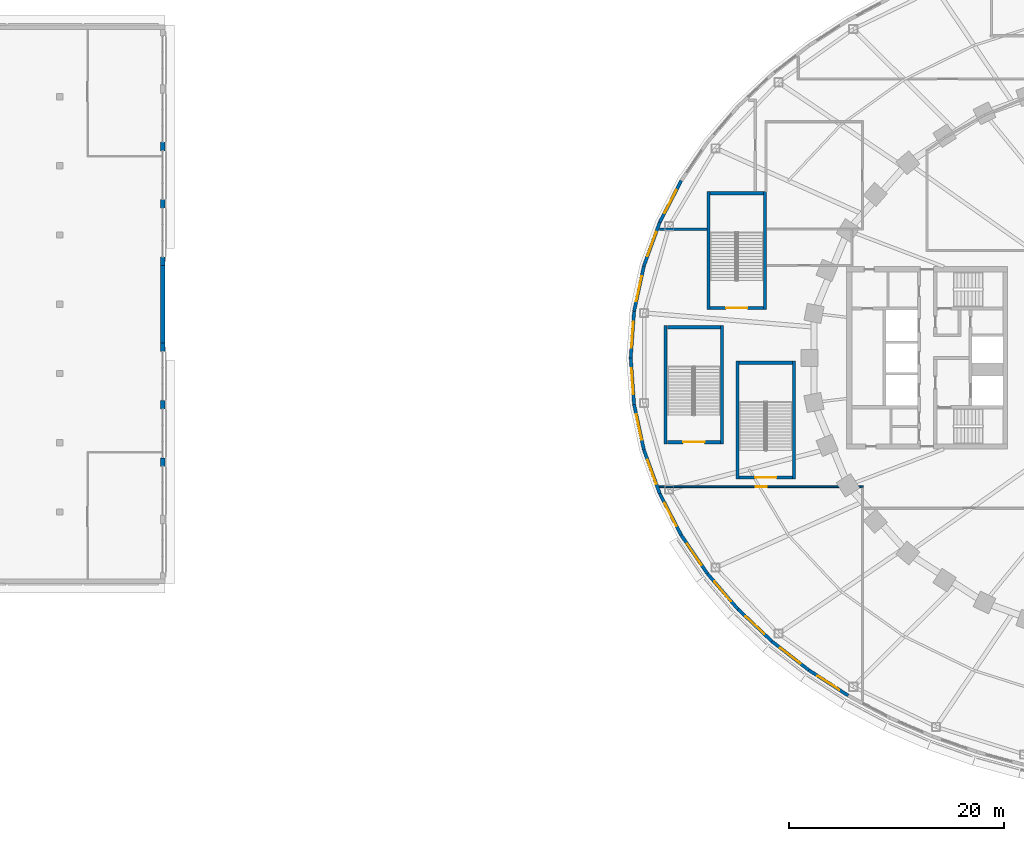
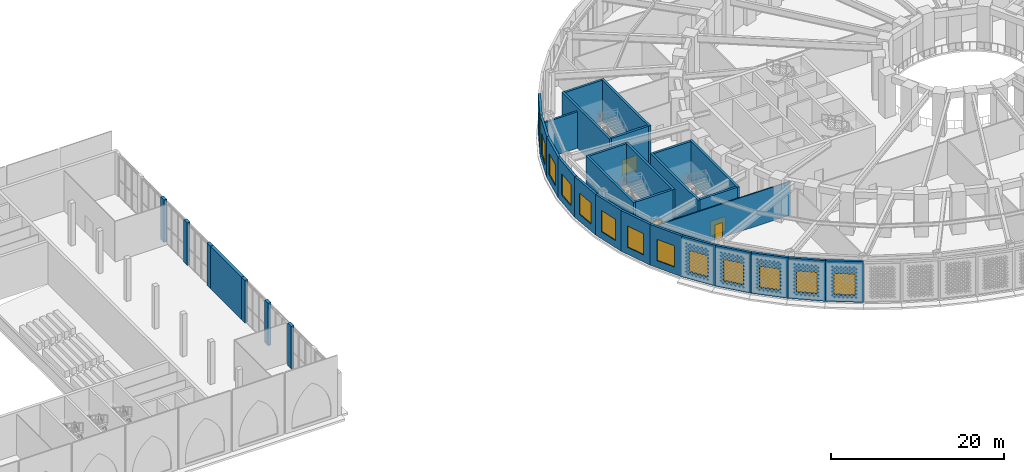
# One storey, part 18 of 74: 34 walls, 13 windows, 4 doors, 17 openings.
"""IFC4 building model written with IfcOpenShell, lengths in metres."""

from ifc_helpers import new_model, si_unit, direction, frame, frame_2d, origin, place, context, subcontext, project, spatial, rectangle, extrude, material, layer, layer_set, type_object, element, fill, save


model = new_model("IFC4")

# Units and contexts
model_context = context("Model", 3, precision=1e-05, world=origin(), true_north=direction((0.0, 1.0)))
body_context = subcontext(model_context, "Body", "Model", "MODEL_VIEW")
ifc_project = project(units=[si_unit("LENGTHUNIT", "METRE"), si_unit("AREAUNIT", "SQUARE_METRE"), si_unit("VOLUMEUNIT", "CUBIC_METRE"), si_unit("PLANEANGLEUNIT", "RADIAN"), si_unit("MASSUNIT", "GRAM", prefix="KILO")], contexts=[model_context])

# Site, building, storey
site_placement = place(None, origin())
site = spatial("IfcSite", under=ifc_project, at=site_placement, CompositionType="ELEMENT")
building_placement = place(site_placement, origin())
building = spatial("IfcBuilding", under=site, at=building_placement, Name="Noorbagh Ring Tower", CompositionType="ELEMENT")
storey_placement = place(building_placement, frame((0.0, 0.0, 13.5)))
storey = spatial("IfcBuildingStorey", under=building, at=storey_placement, Name="L02", CompositionType="ELEMENT", Elevation=13.5)

# Wall, opening, window
ifc_material_1 = material(Name="Blockwork faced with red sandstone", Category="masonry")
ifc_layer_1 = layer(ifc_material_1, 0.300048828125)
ifc_layer_set_1 = layer_set([ifc_layer_1], Name="Blockwork faced with red sandstone")
wall_type_1 = type_object("IfcWallType", Name="GND-ENV-WALL", PredefinedType="SOLIDWALL", material=ifc_layer_set_1)
wall_1_placement = place(storey_placement, frame((-46.89892578125, 16.50830078125, 0.0), z_axis=(0.0, 0.0, 1.0), x_axis=(-0.459242531468, -0.888310923771, 0.0)))
wall_1 = element("IfcWall", 1, at=wall_1_placement, inside=storey, type_object=wall_type_1, Name="Podium wall", PredefinedType="SOLIDWALL", context=body_context, shape_type="SweptSolid", body=[
    extrude(rectangle(XDim=4.344970703125, YDim=0.300048828125, at=frame_2d((2.17236328125, 0.0))), origin(), (0.0, 0.0, 1.0), 5.75),
])
opening_1_placement = place(wall_1_placement, frame((0.972412109375, 0.0, 1.0)))
opening_1 = element("IfcOpeningElement", 2, at=opening_1_placement, cuts=wall_1, Name="Opening GWN1", PredefinedType="OPENING", context=body_context, shape_type="SweptSolid", body=[
    extrude(rectangle(XDim=2.39990234375, YDim=3.0, at=frame_2d((1.199951171875, 1.5))), frame((0.0, 0.16015625, 0.0), z_axis=(0.0, -1.0, 0.0), x_axis=(1.0, 0.0, 0.0)), (0.0, 0.0, 1.0), 0.320068359375),
])
ifc_material_2 = material(Name="Aluminium and glass", Category="aluminium")
window_type = type_object("IfcWindowType", Name="GND-ENV-WINDOW", PartitioningType="SINGLE_PANEL", PredefinedType="WINDOW", material=ifc_material_2)
window_1_placement = place(opening_1_placement, origin())
window_1 = element("IfcWindow", 3, at=window_1_placement, inside=storey, type_object=window_type, Name="L02 podium window", OverallHeight=3.0, OverallWidth=2.39990234375, PartitioningType="SINGLE_PANEL", PredefinedType="WINDOW", context=body_context, shape_type="SweptSolid", body=[
    extrude(rectangle(XDim=2.39990234375, YDim=3.0, at=frame_2d((1.199951171875, 1.5))), frame((0.0, 0.030029296875, 0.0), z_axis=(0.0, -1.0, 0.0), x_axis=(1.0, 0.0, 0.0)), (0.0, 0.0, 1.0), 0.06005859375),
])
fill(opening_1, window_1)

wall_2_placement = place(storey_placement, frame((-48.894287109375, 12.648681640625, 0.0), z_axis=(0.0, 0.0, 1.0), x_axis=(-0.341286990045, -0.939959142956, 0.0)))
wall_2 = element("IfcWall", 4, at=wall_2_placement, inside=storey, type_object=wall_type_1, Name="Podium wall", PredefinedType="SOLIDWALL", context=body_context, shape_type="SweptSolid", body=[
    extrude(rectangle(XDim=4.341552734375, YDim=0.300048828125, at=frame_2d((2.1708984375, 0.0))), origin(), (0.0, 0.0, 1.0), 5.75),
])
opening_2_placement = place(wall_2_placement, frame((0.970703125, 0.0, 1.0)))
opening_2 = element("IfcOpeningElement", 5, at=opening_2_placement, cuts=wall_2, Name="Opening GWN1", PredefinedType="OPENING", context=body_context, shape_type="SweptSolid", body=[
    extrude(rectangle(XDim=2.39990234375, YDim=3.0, at=frame_2d((1.199951171875, 1.5))), frame((0.0, 0.16015625, 0.0), z_axis=(0.0, -1.0, 0.0), x_axis=(1.0, 0.0, 0.0)), (0.0, 0.0, 1.0), 0.320068359375),
])
window_2_placement = place(opening_2_placement, origin())
window_2 = element("IfcWindow", 6, at=window_2_placement, inside=storey, type_object=window_type, Name="L02 podium window", OverallHeight=3.0, OverallWidth=2.39990234375, PartitioningType="SINGLE_PANEL", PredefinedType="WINDOW", context=body_context, shape_type="SweptSolid", body=[
    extrude(rectangle(XDim=2.39990234375, YDim=3.0, at=frame_2d((1.199951171875, 1.5))), frame((0.0, 0.030029296875, 0.0), z_axis=(0.0, -1.0, 0.0), x_axis=(1.0, 0.0, 0.0)), (0.0, 0.0, 1.0), 0.06005859375),
])
fill(opening_2, window_2)

wall_3_placement = place(storey_placement, frame((-50.3759765625, 8.56787109375, 0.0), z_axis=(0.0, 0.0, 1.0), x_axis=(-0.210616468766, -0.977568771537, 0.0)))
wall_3 = element("IfcWall", 7, at=wall_3_placement, inside=storey, type_object=wall_type_1, Name="Podium wall", PredefinedType="SOLIDWALL", context=body_context, shape_type="SweptSolid", body=[
    extrude(rectangle(XDim=4.3388671875, YDim=0.300048828125, at=frame_2d((2.16943359375, 0.0))), origin(), (0.0, 0.0, 1.0), 5.75),
])
opening_3_placement = place(wall_3_placement, frame((0.969482421875, 0.0, 1.0)))
opening_3 = element("IfcOpeningElement", 8, at=opening_3_placement, cuts=wall_3, Name="Opening GWN1", PredefinedType="OPENING", context=body_context, shape_type="SweptSolid", body=[
    extrude(rectangle(XDim=2.39990234375, YDim=3.0, at=frame_2d((1.199951171875, 1.5))), frame((0.0, 0.16015625, 0.0), z_axis=(0.0, -1.0, 0.0), x_axis=(1.0, 0.0, 0.0)), (0.0, 0.0, 1.0), 0.320068359375),
])
window_3_placement = place(opening_3_placement, origin())
window_3 = element("IfcWindow", 9, at=window_3_placement, inside=storey, type_object=window_type, Name="L02 podium window", OverallHeight=3.0, OverallWidth=2.39990234375, PartitioningType="SINGLE_PANEL", PredefinedType="WINDOW", context=body_context, shape_type="SweptSolid", body=[
    extrude(rectangle(XDim=2.39990234375, YDim=3.0, at=frame_2d((1.199951171875, 1.5))), frame((0.0, 0.030029296875, 0.0), z_axis=(0.0, -1.0, 0.0), x_axis=(1.0, 0.0, 0.0)), (0.0, 0.0, 1.0), 0.06005859375),
])
fill(opening_3, window_3)

wall_4_placement = place(storey_placement, frame((-51.289794921875, 4.326416015625, 0.0), z_axis=(0.0, 0.0, 1.0), x_axis=(-0.071315050824, -0.997453840298, 0.0)))
wall_4 = element("IfcWall", 10, at=wall_4_placement, inside=storey, type_object=wall_type_1, Name="Podium wall", PredefinedType="SOLIDWALL", context=body_context, shape_type="SweptSolid", body=[
    extrude(rectangle(XDim=4.33740234375, YDim=0.300048828125, at=frame_2d((2.168701171875, 0.0))), origin(), (0.0, 0.0, 1.0), 5.75),
])
opening_4_placement = place(wall_4_placement, frame((0.96875, 0.0, 1.0)))
opening_4 = element("IfcOpeningElement", 11, at=opening_4_placement, cuts=wall_4, Name="Opening GWN1", PredefinedType="OPENING", context=body_context, shape_type="SweptSolid", body=[
    extrude(rectangle(XDim=2.39990234375, YDim=3.0, at=frame_2d((1.199951171875, 1.5))), frame((0.0, 0.16015625, 0.0), z_axis=(0.0, -1.0, 0.0), x_axis=(1.0, 0.0, 0.0)), (0.0, 0.0, 1.0), 0.320068359375),
])
window_4_placement = place(opening_4_placement, origin())
window_4 = element("IfcWindow", 12, at=window_4_placement, inside=storey, type_object=window_type, Name="L02 podium window", OverallHeight=3.0, OverallWidth=2.39990234375, PartitioningType="SINGLE_PANEL", PredefinedType="WINDOW", context=body_context, shape_type="SweptSolid", body=[
    extrude(rectangle(XDim=2.39990234375, YDim=3.0, at=frame_2d((1.199951171875, 1.5))), frame((0.0, 0.030029296875, 0.0), z_axis=(0.0, -1.0, 0.0), x_axis=(1.0, 0.0, 0.0)), (0.0, 0.0, 1.0), 0.06005859375),
])
fill(opening_4, window_4)

wall_5_placement = place(storey_placement, frame((-51.59912109375, 0.0, 0.0), z_axis=(0.0, 0.0, 1.0), x_axis=(0.071315050824, -0.997453840298, 0.0)))
wall_5 = element("IfcWall", 13, at=wall_5_placement, inside=storey, type_object=wall_type_1, Name="Podium wall", PredefinedType="SOLIDWALL", context=body_context, shape_type="SweptSolid", body=[
    extrude(rectangle(XDim=4.33740234375, YDim=0.300048828125, at=frame_2d((2.168701171875, 0.0))), origin(), (0.0, 0.0, 1.0), 5.75),
])
opening_5_placement = place(wall_5_placement, frame((0.96875, 0.0, 1.0)))
opening_5 = element("IfcOpeningElement", 14, at=opening_5_placement, cuts=wall_5, Name="Opening GWN1", PredefinedType="OPENING", context=body_context, shape_type="SweptSolid", body=[
    extrude(rectangle(XDim=2.39990234375, YDim=3.0, at=frame_2d((1.199951171875, 1.5))), frame((0.0, 0.16015625, 0.0), z_axis=(0.0, -1.0, 0.0), x_axis=(1.0, 0.0, 0.0)), (0.0, 0.0, 1.0), 0.320068359375),
])
window_5_placement = place(opening_5_placement, origin())
window_5 = element("IfcWindow", 15, at=window_5_placement, inside=storey, type_object=window_type, Name="L02 podium window", OverallHeight=3.0, OverallWidth=2.39990234375, PartitioningType="SINGLE_PANEL", PredefinedType="WINDOW", context=body_context, shape_type="SweptSolid", body=[
    extrude(rectangle(XDim=2.39990234375, YDim=3.0, at=frame_2d((1.199951171875, 1.5))), frame((0.0, 0.030029296875, 0.0), z_axis=(0.0, -1.0, 0.0), x_axis=(1.0, 0.0, 0.0)), (0.0, 0.0, 1.0), 0.06005859375),
])
fill(opening_5, window_5)

wall_6_placement = place(storey_placement, frame((-51.289794921875, -4.326416015625, 0.0), z_axis=(0.0, 0.0, 1.0), x_axis=(0.210616468766, -0.977568771537, 0.0)))
wall_6 = element("IfcWall", 16, at=wall_6_placement, inside=storey, type_object=wall_type_1, Name="Podium wall", PredefinedType="SOLIDWALL", context=body_context, shape_type="SweptSolid", body=[
    extrude(rectangle(XDim=4.3388671875, YDim=0.300048828125, at=frame_2d((2.16943359375, 0.0))), origin(), (0.0, 0.0, 1.0), 5.75),
])
opening_6_placement = place(wall_6_placement, frame((0.969482421875, 0.0, 1.0)))
opening_6 = element("IfcOpeningElement", 17, at=opening_6_placement, cuts=wall_6, Name="Opening GWN1", PredefinedType="OPENING", context=body_context, shape_type="SweptSolid", body=[
    extrude(rectangle(XDim=2.39990234375, YDim=3.0, at=frame_2d((1.199951171875, 1.5))), frame((0.0, 0.16015625, 0.0), z_axis=(0.0, -1.0, 0.0), x_axis=(1.0, 0.0, 0.0)), (0.0, 0.0, 1.0), 0.320068359375),
])
window_6_placement = place(opening_6_placement, origin())
window_6 = element("IfcWindow", 18, at=window_6_placement, inside=storey, type_object=window_type, Name="L02 podium window", OverallHeight=3.0, OverallWidth=2.39990234375, PartitioningType="SINGLE_PANEL", PredefinedType="WINDOW", context=body_context, shape_type="SweptSolid", body=[
    extrude(rectangle(XDim=2.39990234375, YDim=3.0, at=frame_2d((1.199951171875, 1.5))), frame((0.0, 0.030029296875, 0.0), z_axis=(0.0, -1.0, 0.0), x_axis=(1.0, 0.0, 0.0)), (0.0, 0.0, 1.0), 0.06005859375),
])
fill(opening_6, window_6)

wall_7_placement = place(storey_placement, frame((-50.3759765625, -8.56787109375, 0.0), z_axis=(0.0, 0.0, 1.0), x_axis=(0.341286990045, -0.939959142956, 0.0)))
wall_7 = element("IfcWall", 19, at=wall_7_placement, inside=storey, type_object=wall_type_1, Name="Podium wall", PredefinedType="SOLIDWALL", context=body_context, shape_type="SweptSolid", body=[
    extrude(rectangle(XDim=4.341552734375, YDim=0.300048828125, at=frame_2d((2.1708984375, 0.0))), origin(), (0.0, 0.0, 1.0), 5.75),
])
opening_7_placement = place(wall_7_placement, frame((0.970703125, 0.0, 1.0)))
opening_7 = element("IfcOpeningElement", 20, at=opening_7_placement, cuts=wall_7, Name="Opening GWN1", PredefinedType="OPENING", context=body_context, shape_type="SweptSolid", body=[
    extrude(rectangle(XDim=2.39990234375, YDim=3.0, at=frame_2d((1.199951171875, 1.5))), frame((0.0, 0.16015625, 0.0), z_axis=(0.0, -1.0, 0.0), x_axis=(1.0, 0.0, 0.0)), (0.0, 0.0, 1.0), 0.320068359375),
])
window_7_placement = place(opening_7_placement, origin())
window_7 = element("IfcWindow", 21, at=window_7_placement, inside=storey, type_object=window_type, Name="L02 podium window", OverallHeight=3.0, OverallWidth=2.39990234375, PartitioningType="SINGLE_PANEL", PredefinedType="WINDOW", context=body_context, shape_type="SweptSolid", body=[
    extrude(rectangle(XDim=2.39990234375, YDim=3.0, at=frame_2d((1.199951171875, 1.5))), frame((0.0, 0.030029296875, 0.0), z_axis=(0.0, -1.0, 0.0), x_axis=(1.0, 0.0, 0.0)), (0.0, 0.0, 1.0), 0.06005859375),
])
fill(opening_7, window_7)

wall_8_placement = place(storey_placement, frame((-48.894287109375, -12.648681640625, 0.0), z_axis=(0.0, 0.0, 1.0), x_axis=(0.459242531468, -0.888310923771, 0.0)))
wall_8 = element("IfcWall", 22, at=wall_8_placement, inside=storey, type_object=wall_type_1, Name="Podium wall", PredefinedType="SOLIDWALL", context=body_context, shape_type="SweptSolid", body=[
    extrude(rectangle(XDim=4.344970703125, YDim=0.300048828125, at=frame_2d((2.17236328125, 0.0))), origin(), (0.0, 0.0, 1.0), 5.75),
])
opening_8_placement = place(wall_8_placement, frame((0.972412109375, 0.0, 1.0)))
opening_8 = element("IfcOpeningElement", 23, at=opening_8_placement, cuts=wall_8, Name="Opening GWN1", PredefinedType="OPENING", context=body_context, shape_type="SweptSolid", body=[
    extrude(rectangle(XDim=2.39990234375, YDim=3.0, at=frame_2d((1.199951171875, 1.5))), frame((0.0, 0.16015625, 0.0), z_axis=(0.0, -1.0, 0.0), x_axis=(1.0, 0.0, 0.0)), (0.0, 0.0, 1.0), 0.320068359375),
])
window_8_placement = place(opening_8_placement, origin())
window_8 = element("IfcWindow", 24, at=window_8_placement, inside=storey, type_object=window_type, Name="L02 podium window", OverallHeight=3.0, OverallWidth=2.39990234375, PartitioningType="SINGLE_PANEL", PredefinedType="WINDOW", context=body_context, shape_type="SweptSolid", body=[
    extrude(rectangle(XDim=2.39990234375, YDim=3.0, at=frame_2d((1.199951171875, 1.5))), frame((0.0, 0.030029296875, 0.0), z_axis=(0.0, -1.0, 0.0), x_axis=(1.0, 0.0, 0.0)), (0.0, 0.0, 1.0), 0.06005859375),
])
fill(opening_8, window_8)

wall_9_placement = place(storey_placement, frame((-46.89892578125, -16.50830078125, 0.0), z_axis=(0.0, 0.0, 1.0), x_axis=(0.562667738859, -0.82668314102, 0.0)))
wall_9 = element("IfcWall", 25, at=wall_9_placement, inside=storey, type_object=wall_type_1, Name="Podium wall", PredefinedType="SOLIDWALL", context=body_context, shape_type="SweptSolid", body=[
    extrude(rectangle(XDim=4.348876953125, YDim=0.300048828125, at=frame_2d((2.17431640625, 0.0))), origin(), (0.0, 0.0, 1.0), 5.75),
])
opening_9_placement = place(wall_9_placement, frame((0.974365234375, 0.0, 1.0)))
opening_9 = element("IfcOpeningElement", 26, at=opening_9_placement, cuts=wall_9, Name="Opening GWN1", PredefinedType="OPENING", context=body_context, shape_type="SweptSolid", body=[
    extrude(rectangle(XDim=2.39990234375, YDim=3.0, at=frame_2d((1.199951171875, 1.5))), frame((0.0, 0.16015625, 0.0), z_axis=(0.0, -1.0, 0.0), x_axis=(1.0, 0.0, 0.0)), (0.0, 0.0, 1.0), 0.320068359375),
])
window_9_placement = place(opening_9_placement, origin())
window_9 = element("IfcWindow", 27, at=window_9_placement, inside=storey, type_object=window_type, Name="L02 podium window", OverallHeight=3.0, OverallWidth=2.39990234375, PartitioningType="SINGLE_PANEL", PredefinedType="WINDOW", context=body_context, shape_type="SweptSolid", body=[
    extrude(rectangle(XDim=2.39990234375, YDim=3.0, at=frame_2d((1.199951171875, 1.5))), frame((0.0, 0.030029296875, 0.0), z_axis=(0.0, -1.0, 0.0), x_axis=(1.0, 0.0, 0.0)), (0.0, 0.0, 1.0), 0.06005859375),
])
fill(opening_9, window_9)

wall_10_placement = place(storey_placement, frame((-44.451904296875, -20.103515625, 0.0), z_axis=(0.0, 0.0, 1.0), x_axis=(0.651387059497, -0.758745608699, 0.0)))
wall_10 = element("IfcWall", 28, at=wall_10_placement, inside=storey, type_object=wall_type_1, Name="Podium wall", PredefinedType="SOLIDWALL", context=body_context, shape_type="SweptSolid", body=[
    extrude(rectangle(XDim=4.3525390625, YDim=0.300048828125, at=frame_2d((2.17626953125, 0.0))), origin(), (0.0, 0.0, 1.0), 5.75),
])
opening_10_placement = place(wall_10_placement, frame((0.976318359375, 0.0, 1.0)))
opening_10 = element("IfcOpeningElement", 29, at=opening_10_placement, cuts=wall_10, Name="Opening GWN1", PredefinedType="OPENING", context=body_context, shape_type="SweptSolid", body=[
    extrude(rectangle(XDim=2.39990234375, YDim=3.0, at=frame_2d((1.199951171875, 1.5))), frame((0.0, 0.16015625, 0.0), z_axis=(0.0, -1.0, 0.0), x_axis=(1.0, 0.0, 0.0)), (0.0, 0.0, 1.0), 0.320068359375),
])
window_10_placement = place(opening_10_placement, origin())
window_10 = element("IfcWindow", 30, at=window_10_placement, inside=storey, type_object=window_type, Name="L02 podium window", OverallHeight=3.0, OverallWidth=2.39990234375, PartitioningType="SINGLE_PANEL", PredefinedType="WINDOW", context=body_context, shape_type="SweptSolid", body=[
    extrude(rectangle(XDim=2.39990234375, YDim=3.0, at=frame_2d((1.199951171875, 1.5))), frame((0.0, 0.030029296875, 0.0), z_axis=(0.0, -1.0, 0.0), x_axis=(1.0, 0.0, 0.0)), (0.0, 0.0, 1.0), 0.06005859375),
])
fill(opening_10, window_10)

wall_11_placement = place(storey_placement, frame((-41.61669921875, -23.406005859375, 0.0), z_axis=(0.0, 0.0, 1.0), x_axis=(0.72620446032, -0.687478786444, 0.0)))
wall_11 = element("IfcWall", 31, at=wall_11_placement, inside=storey, type_object=wall_type_1, Name="Podium wall", PredefinedType="SOLIDWALL", context=body_context, shape_type="SweptSolid", body=[
    extrude(rectangle(XDim=4.356201171875, YDim=0.300048828125, at=frame_2d((2.17822265625, 0.0))), origin(), (0.0, 0.0, 1.0), 5.75),
])
opening_11_placement = place(wall_11_placement, frame((0.97802734375, 0.0, 1.0)))
opening_11 = element("IfcOpeningElement", 32, at=opening_11_placement, cuts=wall_11, Name="Opening GWN1", PredefinedType="OPENING", context=body_context, shape_type="SweptSolid", body=[
    extrude(rectangle(XDim=2.39990234375, YDim=3.0, at=frame_2d((1.199951171875, 1.5))), frame((0.0, 0.16015625, 0.0), z_axis=(0.0, -1.0, 0.0), x_axis=(1.0, 0.0, 0.0)), (0.0, 0.0, 1.0), 0.320068359375),
])
window_11_placement = place(opening_11_placement, origin())
window_11 = element("IfcWindow", 33, at=window_11_placement, inside=storey, type_object=window_type, Name="L02 podium window", OverallHeight=3.0, OverallWidth=2.39990234375, PartitioningType="SINGLE_PANEL", PredefinedType="WINDOW", context=body_context, shape_type="SweptSolid", body=[
    extrude(rectangle(XDim=2.39990234375, YDim=3.0, at=frame_2d((1.199951171875, 1.5))), frame((0.0, 0.030029296875, 0.0), z_axis=(0.0, -1.0, 0.0), x_axis=(1.0, 0.0, 0.0)), (0.0, 0.0, 1.0), 0.06005859375),
])
fill(opening_11, window_11)

wall_12_placement = place(storey_placement, frame((-38.453125, -26.40087890625, 0.0), z_axis=(0.0, 0.0, 1.0), x_axis=(0.788491985196, -0.615045030288, 0.0)))
wall_12 = element("IfcWall", 34, at=wall_12_placement, inside=storey, type_object=wall_type_1, Name="Podium wall", PredefinedType="SOLIDWALL", context=body_context, shape_type="SweptSolid", body=[
    extrude(rectangle(XDim=4.359375, YDim=0.300048828125, at=frame_2d((2.1796875, 0.0))), origin(), (0.0, 0.0, 1.0), 5.75),
])
opening_12_placement = place(wall_12_placement, frame((0.979736328125, 0.0, 1.0)))
opening_12 = element("IfcOpeningElement", 35, at=opening_12_placement, cuts=wall_12, Name="Opening GWN1", PredefinedType="OPENING", context=body_context, shape_type="SweptSolid", body=[
    extrude(rectangle(XDim=2.39990234375, YDim=3.0, at=frame_2d((1.199951171875, 1.5))), frame((0.0, 0.16015625, 0.0), z_axis=(0.0, -1.0, 0.0), x_axis=(1.0, 0.0, 0.0)), (0.0, 0.0, 1.0), 0.320068359375),
])
window_12_placement = place(opening_12_placement, origin())
window_12 = element("IfcWindow", 36, at=window_12_placement, inside=storey, type_object=window_type, Name="L02 podium window", OverallHeight=3.0, OverallWidth=2.39990234375, PartitioningType="SINGLE_PANEL", PredefinedType="WINDOW", context=body_context, shape_type="SweptSolid", body=[
    extrude(rectangle(XDim=2.39990234375, YDim=3.0, at=frame_2d((1.199951171875, 1.5))), frame((0.0, 0.030029296875, 0.0), z_axis=(0.0, -1.0, 0.0), x_axis=(1.0, 0.0, 0.0)), (0.0, 0.0, 1.0), 0.06005859375),
])
fill(opening_12, window_12)

wall_13_placement = place(storey_placement, frame((-35.015869140625, -29.08203125, 0.0), z_axis=(0.0, 0.0, 1.0), x_axis=(0.840047348843, -0.542513088969, 0.0)))
wall_13 = element("IfcWall", 37, at=wall_13_placement, inside=storey, type_object=wall_type_1, Name="Podium wall", PredefinedType="SOLIDWALL", context=body_context, shape_type="SweptSolid", body=[
    extrude(rectangle(XDim=4.362060546875, YDim=0.300048828125, at=frame_2d((2.18115234375, 0.0))), origin(), (0.0, 0.0, 1.0), 5.75),
])
opening_13_placement = place(wall_13_placement, frame((0.98095703125, 0.0, 1.0)))
opening_13 = element("IfcOpeningElement", 38, at=opening_13_placement, cuts=wall_13, Name="Opening GWN1", PredefinedType="OPENING", context=body_context, shape_type="SweptSolid", body=[
    extrude(rectangle(XDim=2.39990234375, YDim=3.0, at=frame_2d((1.199951171875, 1.5))), frame((0.0, 0.16015625, 0.0), z_axis=(0.0, -1.0, 0.0), x_axis=(1.0, 0.0, 0.0)), (0.0, 0.0, 1.0), 0.320068359375),
])
window_13_placement = place(opening_13_placement, origin())
window_13 = element("IfcWindow", 39, at=window_13_placement, inside=storey, type_object=window_type, Name="L02 podium window", OverallHeight=3.0, OverallWidth=2.39990234375, PartitioningType="SINGLE_PANEL", PredefinedType="WINDOW", context=body_context, shape_type="SweptSolid", body=[
    extrude(rectangle(XDim=2.39990234375, YDim=3.0, at=frame_2d((1.199951171875, 1.5))), frame((0.0, 0.030029296875, 0.0), z_axis=(0.0, -1.0, 0.0), x_axis=(1.0, 0.0, 0.0)), (0.0, 0.0, 1.0), 0.06005859375),
])
fill(opening_13, window_13)

# Wall, opening, door
ifc_material_3 = material(Name="Gypsum board on steel studs", Category="steel")
ifc_layer_2 = layer(ifc_material_3, 0.14990234375)
ifc_layer_set_2 = layer_set([ifc_layer_2], Name="Gypsum board on steel studs")
wall_type_2 = type_object("IfcWallType", Name="GND-PART-150", PredefinedType="PARTITIONING", material=ifc_layer_set_2)
wall_14_placement = place(storey_placement, frame((-48.955078125, -12.0, 0.0), z_axis=(0.0, 0.0, 1.0), x_axis=(1.0, 0.0, 0.0)))
wall_14 = element("IfcWall", 40, at=wall_14_placement, inside=storey, type_object=wall_type_2, Name="L02/wall/P040", PredefinedType="PARTITIONING", context=body_context, shape_type="SweptSolid", body=[
    extrude(rectangle(XDim=19.030029296875, YDim=0.14990234375, at=frame_2d((9.51513671875, 0.0))), origin(), (0.0, 0.0, 1.0), 4.75),
])
opening_14_placement = place(wall_14_placement, frame((9.01513671875, 0.0, 0.0)))
opening_14 = element("IfcOpeningElement", 41, at=opening_14_placement, cuts=wall_14, Name="Opening GD6", PredefinedType="OPENING", context=body_context, shape_type="SweptSolid", body=[
    extrude(rectangle(XDim=1.0, YDim=2.10009765625, at=frame_2d((0.5, 1.050048828125))), frame((0.0, 0.0849609375, 0.0), z_axis=(0.0, -1.0, 0.0), x_axis=(1.0, 0.0, 0.0)), (0.0, 0.0, 1.0), 0.169921875),
])
ifc_material_4 = material(Name="Timber", Category="wood")
door_type_1 = type_object("IfcDoorType", Name="GND-DOOR-HALL", OperationType="SINGLE_SWING_LEFT", PredefinedType="DOOR", material=ifc_material_4)
door_1_placement = place(opening_14_placement, origin())
door_1 = element("IfcDoor", 42, at=door_1_placement, inside=storey, type_object=door_type_1, Name="Training room 2 door", OperationType="SINGLE_SWING_RIGHT", OverallHeight=2.10009765625, OverallWidth=1.0, PredefinedType="DOOR", context=body_context, shape_type="SweptSolid", body=[
    extrude(rectangle(XDim=1.0, YDim=2.10009765625, at=frame_2d((0.5, 1.050048828125))), frame((0.0, 0.02490234375, 0.0), z_axis=(0.0, -1.0, 0.0), x_axis=(1.0, 0.0, 0.0)), (0.0, 0.0, 1.0), 0.050048828125),
])
fill(opening_14, door_1)

# Walls
ifc_material_5 = material(Name="Reinforced blockwork", Category="masonry")
ifc_layer_3 = layer(ifc_material_5, 0.25)
ifc_layer_set_3 = layer_set([ifc_layer_3], Name="Reinforced blockwork")
wall_type_3 = type_object("IfcWallType", Name="GND-PART-250", PredefinedType="PARTITIONING", material=ifc_layer_set_3)
wall_15_placement = place(storey_placement, frame((-44.5, 12.0, 0.0), z_axis=(0.0, 0.0, 1.0), x_axis=(-1.0, 0.0, 0.0)))
element("IfcWall", 43, at=wall_15_placement, inside=storey, type_object=wall_type_3, Name="L02/wall/P041", PredefinedType="PARTITIONING", context=body_context, shape_type="SweptSolid", body=[
    extrude(rectangle(XDim=4.430419921875, YDim=0.25, at=frame_2d((2.21533203125, 0.0))), origin(), (0.0, 0.0, 1.0), 5.14990234375),
])
ifc_material_6 = material(Name="Concrete C60/75", Category="concrete")
ifc_layer_4 = layer(ifc_material_6, 0.300048828125)
ifc_layer_set_4 = layer_set([ifc_layer_4], Name="Concrete C60/75")
wall_type_4 = type_object("IfcWallType", Name="GND-STAIR-WALL", PredefinedType="SHEAR", material=ifc_layer_set_4)
for number, where, z_axis, x_axis, name in (
    (44, (-41.64990234375, -11.300048828125, 0.0), (0.0, 0.0, 1.0), (0.0, 1.0, 0.0), "Exit stair ST-P1 wall"),
    (45, (-36.39990234375, -11.300048828125, 0.0), (0.0, 0.0, 1.0), (0.0, 1.0, 0.0), "Exit stair ST-P1 wall"),
):
    element("IfcWall", number, at=place(storey_placement, frame(where, z_axis=z_axis, x_axis=x_axis)), inside=storey, type_object=wall_type_4, Name=name, PredefinedType="SHEAR", context=body_context, shape_type="SweptSolid", body=[
        extrude(rectangle(XDim=11.0, YDim=0.300048828125, at=frame_2d((5.5, 0.0))), origin(), (0.0, 0.0, 1.0), 5.75),
    ])

# Wall, opening, door
wall_16_placement = place(storey_placement, frame((-41.5, -11.14990234375, 0.0), z_axis=(0.0, 0.0, 1.0), x_axis=(1.0, 0.0, 0.0)))
wall_16 = element("IfcWall", 46, at=wall_16_placement, inside=storey, type_object=wall_type_4, Name="Exit stair ST-P1 wall", PredefinedType="SHEAR", context=body_context, shape_type="SweptSolid", body=[
    extrude(rectangle(XDim=4.949951171875, YDim=0.300048828125, at=frame_2d((2.47509765625, 0.0))), origin(), (0.0, 0.0, 1.0), 5.75),
])
opening_15_placement = place(wall_16_placement, frame((1.47509765625, 0.0, 0.0)))
opening_15 = element("IfcOpeningElement", 47, at=opening_15_placement, cuts=wall_16, Name="Opening GD17", PredefinedType="OPENING", context=body_context, shape_type="SweptSolid", body=[
    extrude(rectangle(XDim=2.0, YDim=2.10009765625, at=frame_2d((1.0, 1.050048828125))), frame((0.0, 0.16015625, 0.0), z_axis=(0.0, -1.0, 0.0), x_axis=(1.0, 0.0, 0.0)), (0.0, 0.0, 1.0), 0.320068359375),
])
ifc_material_7 = material(Name="Steel", Category="steel")
door_type_2 = type_object("IfcDoorType", Name="GND-STAIR-DOOR", OperationType="DOUBLE_DOOR_SINGLE_SWING", PredefinedType="DOOR", material=ifc_material_7)
door_2_placement = place(opening_15_placement, origin())
door_2 = element("IfcDoor", 48, at=door_2_placement, inside=storey, type_object=door_type_2, Name="Exit stair ST-P1 door", OperationType="DOUBLE_DOOR_SINGLE_SWING", OverallHeight=2.10009765625, OverallWidth=2.0, PredefinedType="DOOR", context=body_context, shape_type="SweptSolid", body=[
    extrude(rectangle(XDim=2.0, YDim=2.10009765625, at=frame_2d((1.0, 1.050048828125))), frame((0.0, 0.02490234375, 0.0), z_axis=(0.0, -1.0, 0.0), x_axis=(1.0, 0.0, 0.0)), (0.0, 0.0, 1.0), 0.050048828125),
])
fill(opening_15, door_2)

# Walls
wall_17_placement = place(storey_placement, frame((-41.5, -0.449951171875, 0.0), z_axis=(0.0, 0.0, 1.0), x_axis=(1.0, 0.0, 0.0)))
element("IfcWall", 49, at=wall_17_placement, inside=storey, type_object=wall_type_4, Name="Exit stair ST-P1 wall", PredefinedType="SHEAR", context=body_context, shape_type="SweptSolid", body=[
    extrude(rectangle(XDim=4.949951171875, YDim=0.300048828125, at=frame_2d((2.47509765625, 0.0))), origin(), (0.0, 0.0, 1.0), 5.75),
])
for number, where, z_axis, x_axis, name in (
    (50, (-48.35009765625, -8.0, 0.0), (0.0, 0.0, 1.0), (0.0, 1.0, 0.0), "Exit stair ST-P3 wall"),
    (51, (-43.10009765625, -8.0, 0.0), (0.0, 0.0, 1.0), (0.0, 1.0, 0.0), "Exit stair ST-P3 wall"),
):
    element("IfcWall", number, at=place(storey_placement, frame(where, z_axis=z_axis, x_axis=x_axis)), inside=storey, type_object=wall_type_4, Name=name, PredefinedType="SHEAR", context=body_context, shape_type="SweptSolid", body=[
        extrude(rectangle(XDim=11.0, YDim=0.300048828125, at=frame_2d((5.5, 0.0))), origin(), (0.0, 0.0, 1.0), 5.75),
    ])

# Wall, opening, door
wall_18_placement = place(storey_placement, frame((-48.199951171875, -7.85009765625, 0.0), z_axis=(0.0, 0.0, 1.0), x_axis=(1.0, 0.0, 0.0)))
wall_18 = element("IfcWall", 52, at=wall_18_placement, inside=storey, type_object=wall_type_4, Name="Exit stair ST-P3 wall", PredefinedType="SHEAR", context=body_context, shape_type="SweptSolid", body=[
    extrude(rectangle(XDim=4.949951171875, YDim=0.300048828125, at=frame_2d((2.47509765625, 0.0))), origin(), (0.0, 0.0, 1.0), 5.75),
])
opening_16_placement = place(wall_18_placement, frame((1.47509765625, 0.0, 0.0)))
opening_16 = element("IfcOpeningElement", 53, at=opening_16_placement, cuts=wall_18, Name="Opening GD17", PredefinedType="OPENING", context=body_context, shape_type="SweptSolid", body=[
    extrude(rectangle(XDim=2.0, YDim=2.10009765625, at=frame_2d((1.0, 1.050048828125))), frame((0.0, 0.16015625, 0.0), z_axis=(0.0, -1.0, 0.0), x_axis=(1.0, 0.0, 0.0)), (0.0, 0.0, 1.0), 0.320068359375),
])
door_3_placement = place(opening_16_placement, origin())
door_3 = element("IfcDoor", 54, at=door_3_placement, inside=storey, type_object=door_type_2, Name="Exit stair ST-P3 door", OperationType="DOUBLE_DOOR_SINGLE_SWING", OverallHeight=2.10009765625, OverallWidth=2.0, PredefinedType="DOOR", context=body_context, shape_type="SweptSolid", body=[
    extrude(rectangle(XDim=2.0, YDim=2.10009765625, at=frame_2d((1.0, 1.050048828125))), frame((0.0, 0.02490234375, 0.0), z_axis=(0.0, -1.0, 0.0), x_axis=(1.0, 0.0, 0.0)), (0.0, 0.0, 1.0), 0.050048828125),
])
fill(opening_16, door_3)

# Walls
wall_19_placement = place(storey_placement, frame((-48.199951171875, 2.85009765625, 0.0), z_axis=(0.0, 0.0, 1.0), x_axis=(1.0, 0.0, 0.0)))
element("IfcWall", 55, at=wall_19_placement, inside=storey, type_object=wall_type_4, Name="Exit stair ST-P3 wall", PredefinedType="SHEAR", context=body_context, shape_type="SweptSolid", body=[
    extrude(rectangle(XDim=4.949951171875, YDim=0.300048828125, at=frame_2d((2.47509765625, 0.0))), origin(), (0.0, 0.0, 1.0), 5.75),
])
for number, where, z_axis, x_axis, name in (
    (56, (-44.35009765625, 4.5, 0.0), (0.0, 0.0, 1.0), (0.0, 1.0, 0.0), "Exit stair ST-P7 wall"),
    (57, (-39.10009765625, 4.5, 0.0), (0.0, 0.0, 1.0), (0.0, 1.0, 0.0), "Exit stair ST-P7 wall"),
):
    element("IfcWall", number, at=place(storey_placement, frame(where, z_axis=z_axis, x_axis=x_axis)), inside=storey, type_object=wall_type_4, Name=name, PredefinedType="SHEAR", context=body_context, shape_type="SweptSolid", body=[
        extrude(rectangle(XDim=11.0, YDim=0.300048828125, at=frame_2d((5.5, 0.0))), origin(), (0.0, 0.0, 1.0), 5.75),
    ])

# Wall, opening, door
wall_20_placement = place(storey_placement, frame((-44.199951171875, 4.64990234375, 0.0), z_axis=(0.0, 0.0, 1.0), x_axis=(1.0, 0.0, 0.0)))
wall_20 = element("IfcWall", 58, at=wall_20_placement, inside=storey, type_object=wall_type_4, Name="Exit stair ST-P7 wall", PredefinedType="SHEAR", context=body_context, shape_type="SweptSolid", body=[
    extrude(rectangle(XDim=4.949951171875, YDim=0.300048828125, at=frame_2d((2.47509765625, 0.0))), origin(), (0.0, 0.0, 1.0), 5.75),
])
opening_17_placement = place(wall_20_placement, frame((1.47509765625, 0.0, 0.0)))
opening_17 = element("IfcOpeningElement", 59, at=opening_17_placement, cuts=wall_20, Name="Opening GD17", PredefinedType="OPENING", context=body_context, shape_type="SweptSolid", body=[
    extrude(rectangle(XDim=2.0, YDim=2.10009765625, at=frame_2d((1.0, 1.050048828125))), frame((0.0, 0.16015625, 0.0), z_axis=(0.0, -1.0, 0.0), x_axis=(1.0, 0.0, 0.0)), (0.0, 0.0, 1.0), 0.320068359375),
])
door_4_placement = place(opening_17_placement, origin())
door_4 = element("IfcDoor", 60, at=door_4_placement, inside=storey, type_object=door_type_2, Name="Exit stair ST-P7 door", OperationType="DOUBLE_DOOR_SINGLE_SWING", OverallHeight=2.10009765625, OverallWidth=2.0, PredefinedType="DOOR", context=body_context, shape_type="SweptSolid", body=[
    extrude(rectangle(XDim=2.0, YDim=2.10009765625, at=frame_2d((1.0, 1.050048828125))), frame((0.0, 0.02490234375, 0.0), z_axis=(0.0, -1.0, 0.0), x_axis=(1.0, 0.0, 0.0)), (0.0, 0.0, 1.0), 0.050048828125),
])
fill(opening_17, door_4)

# Walls
wall_21_placement = place(storey_placement, frame((-44.199951171875, 15.35009765625, 0.0), z_axis=(0.0, 0.0, 1.0), x_axis=(1.0, 0.0, 0.0)))
element("IfcWall", 61, at=wall_21_placement, inside=storey, type_object=wall_type_4, Name="Exit stair ST-P7 wall", PredefinedType="SHEAR", context=body_context, shape_type="SweptSolid", body=[
    extrude(rectangle(XDim=4.949951171875, YDim=0.300048828125, at=frame_2d((2.47509765625, 0.0))), origin(), (0.0, 0.0, 1.0), 5.75),
])
ifc_material_8 = material(Name="Concrete C40/50", Category="concrete")
ifc_layer_5 = layer(ifc_material_8, 0.39990234375)
ifc_layer_set_5 = layer_set([ifc_layer_5], Name="Concrete C40/50")
wall_type_5 = type_object("IfcWallType", Name="TH-WALL-OUTER", PredefinedType="SOLIDWALL", material=ifc_layer_set_5)
for number, where, z_axis, x_axis, name in (
    (62, (-95.199951171875, -10.10009765625, 0.0), (0.0, 0.0, 1.0), (0.0, 1.0, 0.0), "Foyer pier"),
    (63, (-95.199951171875, -4.75, 0.0), (0.0, 0.0, 1.0), (0.0, 1.0, 0.0), "Foyer pier"),
):
    element("IfcWall", number, at=place(storey_placement, frame(where, z_axis=z_axis, x_axis=x_axis)), inside=storey, type_object=wall_type_5, Name=name, PredefinedType="SOLIDWALL", context=body_context, shape_type="SweptSolid", body=[
        extrude(rectangle(XDim=0.800048828125, YDim=0.39990234375, at=frame_2d((0.39990234375, 0.0))), origin(), (0.0, 0.0, 1.0), 6.0),
    ])
wall_22_placement = place(storey_placement, frame((-95.199951171875, 0.60009765625, 0.0), z_axis=(0.0, 0.0, 1.0), x_axis=(0.0, 1.0, 0.0)))
element("IfcWall", 64, at=wall_22_placement, inside=storey, type_object=wall_type_5, Name="Foyer pier", PredefinedType="SOLIDWALL", context=body_context, shape_type="SweptSolid", body=[
    extrude(rectangle(XDim=0.7998046875, YDim=0.39990234375, at=frame_2d((0.39990234375, 0.0))), origin(), (0.0, 0.0, 1.0), 6.0),
])
wall_23_placement = place(storey_placement, frame((-95.199951171875, 1.39990234375, 0.0), z_axis=(0.0, 0.0, 1.0), x_axis=(0.0, 1.0, 0.0)))
element("IfcWall", 65, at=wall_23_placement, inside=storey, type_object=wall_type_5, Name="Foyer entrance wall", PredefinedType="SOLIDWALL", context=body_context, shape_type="SweptSolid", body=[
    extrude(rectangle(XDim=7.2001953125, YDim=0.39990234375, at=frame_2d((3.60009765625, 0.0))), origin(), (0.0, 0.0, 1.0), 6.0),
])
wall_24_placement = place(storey_placement, frame((-95.199951171875, 8.60009765625, 0.0), z_axis=(0.0, 0.0, 1.0), x_axis=(0.0, 1.0, 0.0)))
element("IfcWall", 66, at=wall_24_placement, inside=storey, type_object=wall_type_5, Name="Foyer pier", PredefinedType="SOLIDWALL", context=body_context, shape_type="SweptSolid", body=[
    extrude(rectangle(XDim=0.7998046875, YDim=0.39990234375, at=frame_2d((0.39990234375, 0.0))), origin(), (0.0, 0.0, 1.0), 6.0),
])
for number, where, z_axis, x_axis, name in (
    (67, (-95.199951171875, 13.949951171875, 0.0), (0.0, 0.0, 1.0), (0.0, 1.0, 0.0), "Foyer pier"),
    (68, (-95.199951171875, 19.300048828125, 0.0), (0.0, 0.0, 1.0), (0.0, 1.0, 0.0), "Foyer pier"),
):
    element("IfcWall", number, at=place(storey_placement, frame(where, z_axis=z_axis, x_axis=x_axis)), inside=storey, type_object=wall_type_5, Name=name, PredefinedType="SOLIDWALL", context=body_context, shape_type="SweptSolid", body=[
        extrude(rectangle(XDim=0.800048828125, YDim=0.39990234375, at=frame_2d((0.39990234375, 0.0))), origin(), (0.0, 0.0, 1.0), 6.0),
    ])

save(model, "model.ifc")
